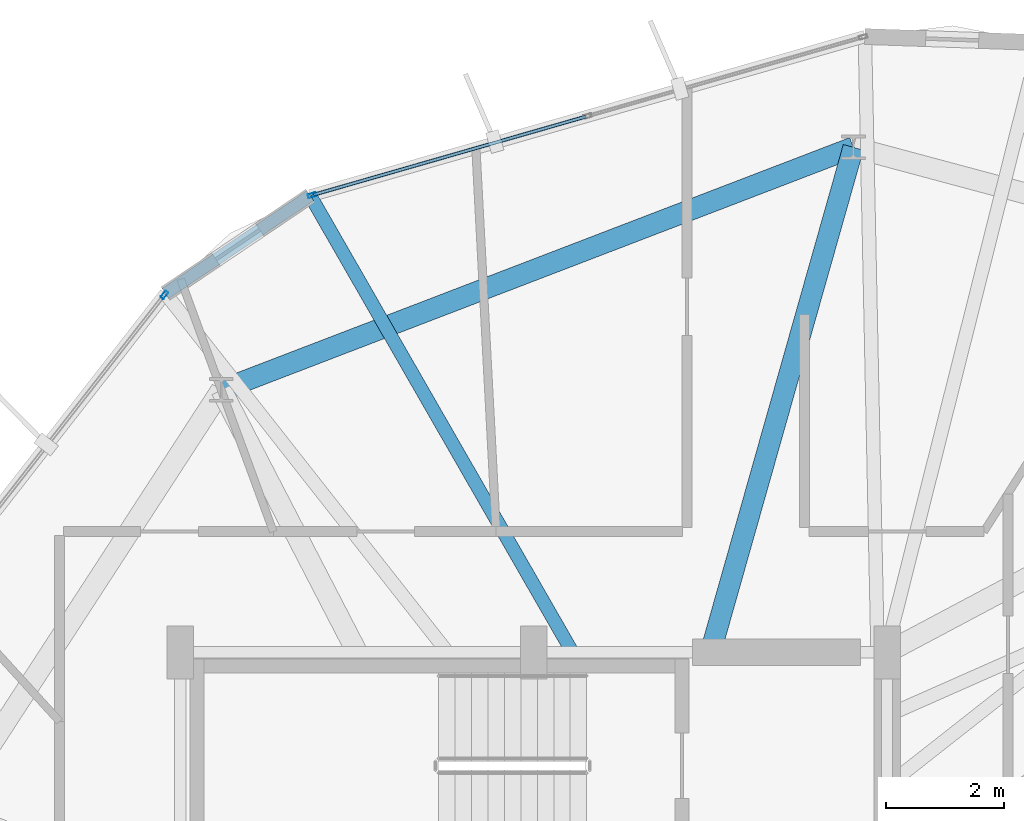
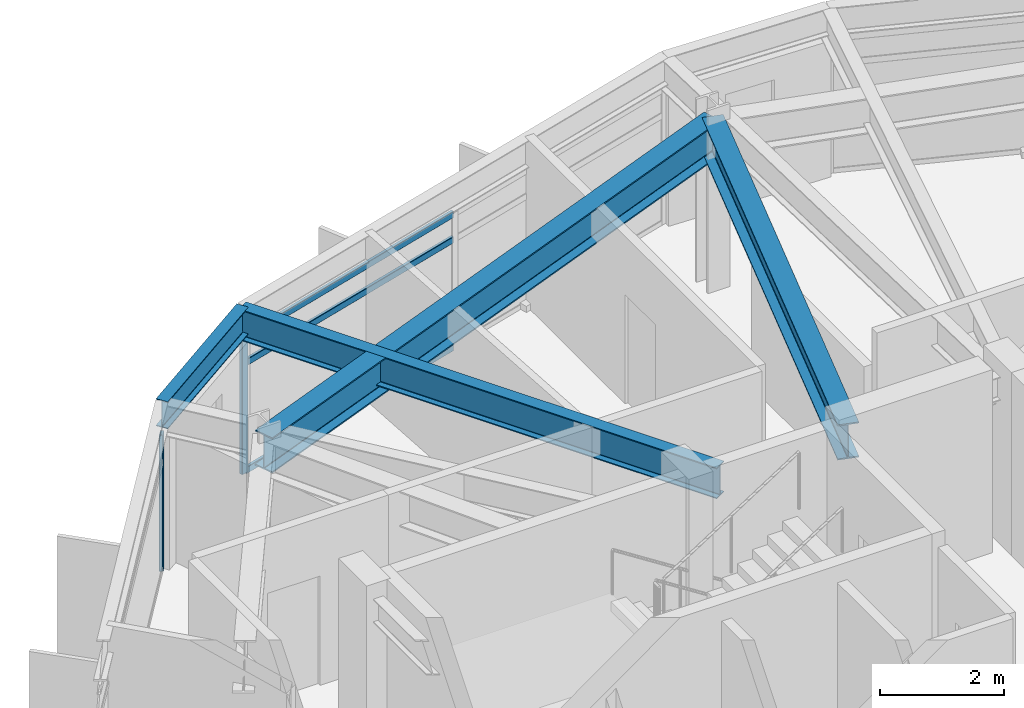
# One storey, part 17 of 30: 5 members, 4 beams, 2 elements without a shape of their own.
"""IFC4 building model written with IfcOpenShell, lengths in metres."""

from ifc_helpers import new_model, si_unit, direction, frame, origin, origin_2d, place, context, subcontext, project, spatial, hollow_rectangle, i_section, extrude, material, layer, layer_set, material_profile, profile_set, type_object, element, aggregate, save


model = new_model("IFC4")

# Units and contexts
model_context = context("Model", 3, precision=1e-05, world=origin(), true_north=direction((0.0, 1.0)))
body_context = subcontext(model_context, "Body", "Model", "MODEL_VIEW")
ifc_project = project(units=[si_unit("LENGTHUNIT", "METRE"), si_unit("AREAUNIT", "SQUARE_METRE"), si_unit("VOLUMEUNIT", "CUBIC_METRE"), si_unit("PLANEANGLEUNIT", "RADIAN"), si_unit("MASSUNIT", "GRAM", prefix="KILO")], contexts=[model_context])

# Site, building, storey
site_placement = place(None, origin())
site = spatial("IfcSite", under=ifc_project, at=site_placement, CompositionType="ELEMENT")
building_placement = place(site_placement, origin())
building = spatial("IfcBuilding", under=site, at=building_placement, Name="Soratama Intermodal Tower", CompositionType="ELEMENT")
storey_placement = place(building_placement, frame((0.0, 0.0, 223.0)))
storey = spatial("IfcBuildingStorey", under=building, at=storey_placement, Name="L56", CompositionType="ELEMENT", Elevation=223.0)

# Beams
ifc_material_1 = material(Name="Structural steel ASTM A992 Grade 50", Category="steel")
ifc_material_profile_1 = material_profile(ifc_material_1, i_section(OverallWidth=0.35498046875, OverallDepth=0.695068359375, WebThickness=0.015380859375, FlangeThickness=0.02490234375, FilletRadius=0.01611328125, at=origin_2d()), Name="W27X146")
ifc_profile_set_1 = profile_set([ifc_material_profile_1], Name="Structural steel ASTM A992 Grade 50")
beam_type_1 = type_object("IfcBeamType", Name="BM-RING-W27X146", PredefinedType="BEAM", material=ifc_profile_set_1)
beam_1_placement = place(storey_placement, frame((44.027099609375, 43.574951171875, 2.952392578125), z_axis=(-0.933575304305, -0.358381293026, 0.0), x_axis=(0.358381293026, -0.933575304305, 0.0)))
element("IfcBeam", 1, at=beam_1_placement, inside=storey, type_object=beam_type_1, Name="BM-L56-RING-03", PredefinedType="BEAM", context=body_context, shape_type="SweptSolid", body=[
    extrude(i_section(OverallWidth=0.35498046875, OverallDepth=0.695068359375, WebThickness=0.015380859375, FlangeThickness=0.02490234375, FilletRadius=0.01611328125, at=origin_2d()), origin(), (0.0, 0.0, 1.0), 11.495849609375),
])
beam_2_placement = place(storey_placement, frame((41.60009765625, 35.0, 2.952392578125), z_axis=(0.272335865412, 0.96220225338, 0.0), x_axis=(-0.96220225338, 0.272335865412, 0.0)))
element("IfcBeam", 2, at=beam_2_placement, inside=storey, type_object=beam_type_1, Name="BM-L56-RAD-03", PredefinedType="BEAM", context=body_context, shape_type="SweptSolid", body=[
    extrude(i_section(OverallWidth=0.35498046875, OverallDepth=0.695068359375, WebThickness=0.015380859375, FlangeThickness=0.02490234375, FilletRadius=0.01611328125, at=origin_2d()), origin(), (0.0, 0.0, 1.0), 8.911865234375),
])
ifc_material_2 = material(Name="Structural steel ASTM A992 Grade 50", Category="steel")
ifc_material_profile_2 = material_profile(ifc_material_2, i_section(OverallWidth=0.2099609375, OverallDepth=0.537109375, WebThickness=0.010986328125, FlangeThickness=0.017333984375, FilletRadius=0.012939453125, at=origin_2d()), Name="W21X68")
ifc_profile_set_2 = profile_set([ifc_material_profile_2], Name="Structural steel ASTM A992 Grade 50")
beam_type_2 = type_object("IfcBeamType", Name="BM-SPN-W21X68", PredefinedType="SPANDREL", material=ifc_profile_set_2)
beam_3_placement = place(storey_placement, frame((34.805908203125, 42.7529296875, 3.031494140625), z_axis=(-0.828833409857, -0.559495467993, 0.0), x_axis=(0.559495467993, -0.828833409857, 0.0)))
element("IfcBeam", 3, at=beam_3_placement, inside=storey, type_object=beam_type_2, Name="BS-L56-CRN02", PredefinedType="SPANDREL", context=body_context, shape_type="SweptSolid", body=[
    extrude(i_section(OverallWidth=0.2099609375, OverallDepth=0.537109375, WebThickness=0.010986328125, FlangeThickness=0.017333984375, FilletRadius=0.012939453125, at=origin_2d()), origin(), (0.0, 0.0, 1.0), 2.966796875),
])
ifc_material_3 = material(Name="Structural steel ASTM A992 Grade 50", Category="steel")
ifc_material_profile_3 = material_profile(ifc_material_3, i_section(OverallWidth=0.22900390625, OverallDepth=0.612060546875, WebThickness=0.011962890625, FlangeThickness=0.01953125, FilletRadius=0.012939453125, at=origin_2d()), Name="W24X84")
ifc_profile_set_3 = profile_set([ifc_material_profile_3], Name="Structural steel ASTM A992 Grade 50")
beam_type_3 = type_object("IfcBeamType", Name="BM-TIE-W24X84", PredefinedType="BEAM", material=ifc_profile_set_3)
beam_4_placement = place(storey_placement, frame((39.238037109375, 35.034912109375, 2.993896484375), z_axis=(-0.497987101946, 0.867184436147, 0.0), x_axis=(-0.867184436147, -0.497987101946, 0.0)))
element("IfcBeam", 4, at=beam_4_placement, inside=storey, type_object=beam_type_3, Name="BM-L56-TIE1-02", PredefinedType="BEAM", context=body_context, shape_type="SweptSolid", body=[
    extrude(i_section(OverallWidth=0.22900390625, OverallDepth=0.612060546875, WebThickness=0.011962890625, FlangeThickness=0.01953125, FilletRadius=0.012939453125, at=origin_2d()), origin(), (0.0, 0.0, 1.0), 8.900146484375),
])

# Curtain wall, member
ifc_material_4 = material(Name="Double-glazed aluminium curtain wall", Category="aluminium")
ifc_layer = layer(ifc_material_4, 0.159912109375)
ifc_layer_set = layer_set([ifc_layer], Name="Double-glazed aluminium curtain wall")
curtain_wall_type = type_object("IfcCurtainWallType", Name="CW-SYS-5", PredefinedType="NOTDEFINED", material=ifc_layer_set)
curtain_wall_1_placement = place(storey_placement, origin())
curtain_wall_1 = element("IfcCurtainWall", 5, at=curtain_wall_1_placement, inside=storey, type_object=curtain_wall_type, Name="L56 Faceted Curtain Wall F02", PredefinedType="NOTDEFINED")
ifc_material_5 = material(Name="Anodised aluminium AA 6063-T6", Category="aluminium")
ifc_material_profile_4 = material_profile(ifc_material_5, hollow_rectangle(XDim=0.06494140625, YDim=0.139892578125, WallThickness=0.0048828125, InnerFilletRadius=0.0048828125, OuterFilletRadius=0.010009765625, at=origin_2d()), Name="CWM140X65X5")
ifc_profile_set_4 = profile_set([ifc_material_profile_4], Name="Anodised aluminium AA 6063-T6")
member_type_1 = type_object("IfcMemberType", Name="MT-CWM-5", PredefinedType="MULLION", material=ifc_profile_set_4)
member_1_placement = place(storey_placement, frame((34.834716796875, 42.761474609375, 0.0), z_axis=(0.0, 0.0, 1.0), x_axis=(0.275973211633, -0.96116532733, 0.0)))
member_1 = element("IfcMember", 6, at=member_1_placement, type_object=member_type_1, Name="CW-5 mullion 3", PredefinedType="MULLION", context=body_context, shape_type="SweptSolid", body=[
    extrude(hollow_rectangle(XDim=0.06494140625, YDim=0.139892578125, WallThickness=0.0048828125, InnerFilletRadius=0.0048828125, OuterFilletRadius=0.010009765625, at=origin_2d()), origin(), (0.0, 0.0, 1.0), 2.678955078125),
])

curtain_wall_2_placement = place(storey_placement, origin())
curtain_wall_2 = element("IfcCurtainWall", 7, at=curtain_wall_2_placement, inside=storey, type_object=curtain_wall_type, Name="L56 Faceted Curtain Wall F03", PredefinedType="NOTDEFINED")
member_2_placement = place(storey_placement, frame((32.32861328125, 41.06982421875, 0.0), z_axis=(0.0, 0.0, 1.0), x_axis=(0.788224252464, -0.615388111542, 0.0)))
member_2 = element("IfcMember", 8, at=member_2_placement, type_object=member_type_1, Name="CW-5 mullion 1", PredefinedType="MULLION", context=body_context, shape_type="SweptSolid", body=[
    extrude(hollow_rectangle(XDim=0.06494140625, YDim=0.139892578125, WallThickness=0.0048828125, InnerFilletRadius=0.0048828125, OuterFilletRadius=0.010009765625, at=origin_2d()), origin(), (0.0, 0.0, 1.0), 2.678955078125),
])
aggregate(curtain_wall_2, [member_2])

# Member
ifc_material_6 = material(Name="Anodised aluminium AA 6063-T6", Category="aluminium")
ifc_material_profile_5 = material_profile(ifc_material_6, hollow_rectangle(XDim=0.06005859375, YDim=0.1298828125, WallThickness=0.0048828125, InnerFilletRadius=0.0048828125, OuterFilletRadius=0.010009765625, at=origin_2d()), Name="CWT130X60X5")
ifc_profile_set_5 = profile_set([ifc_material_profile_5], Name="Anodised aluminium AA 6063-T6")
member_type_2 = type_object("IfcMemberType", Name="TT-CWT-2", PredefinedType="USERDEFINED", material=ifc_profile_set_5)
member_3_placement = place(storey_placement, frame((39.485595703125, 44.096923828125, 0.030029296875), z_axis=(-0.96116294716, -0.275981501202, 0.0), x_axis=(0.275981501202, -0.96116294716, 0.0)))
member_3 = element("IfcMember", 9, at=member_3_placement, type_object=member_type_2, Name="CW-5 transom 2.1", ObjectType="TRANSOM", PredefinedType="USERDEFINED", context=body_context, shape_type="SweptSolid", body=[
    extrude(hollow_rectangle(XDim=0.06005859375, YDim=0.1298828125, WallThickness=0.0048828125, InnerFilletRadius=0.0048828125, OuterFilletRadius=0.010009765625, at=origin_2d()), origin(), (0.0, 0.0, 1.0), 4.808837890625),
])

member_4_placement = place(storey_placement, frame((39.485595703125, 44.096923828125, 2.14990234375), z_axis=(-0.96116294716, -0.275981501202, 0.0), x_axis=(0.275981501202, -0.96116294716, 0.0)))
member_4 = element("IfcMember", 10, at=member_4_placement, type_object=member_type_2, Name="CW-5 transom 2.2", ObjectType="TRANSOM", PredefinedType="USERDEFINED", context=body_context, shape_type="SweptSolid", body=[
    extrude(hollow_rectangle(XDim=0.06005859375, YDim=0.1298828125, WallThickness=0.0048828125, InnerFilletRadius=0.0048828125, OuterFilletRadius=0.010009765625, at=origin_2d()), origin(), (0.0, 0.0, 1.0), 4.808837890625),
])

member_5_placement = place(storey_placement, frame((39.485595703125, 44.096923828125, 2.64892578125), z_axis=(-0.96116294716, -0.275981501202, 0.0), x_axis=(0.275981501202, -0.96116294716, 0.0)))
member_5 = element("IfcMember", 11, at=member_5_placement, type_object=member_type_2, Name="CW-5 transom 2.3", ObjectType="TRANSOM", PredefinedType="USERDEFINED", context=body_context, shape_type="SweptSolid", body=[
    extrude(hollow_rectangle(XDim=0.06005859375, YDim=0.1298828125, WallThickness=0.0048828125, InnerFilletRadius=0.0048828125, OuterFilletRadius=0.010009765625, at=origin_2d()), origin(), (0.0, 0.0, 1.0), 4.808837890625),
])

aggregate(curtain_wall_1, [member_1, member_3, member_4, member_5])

save(model, "model.ifc")
